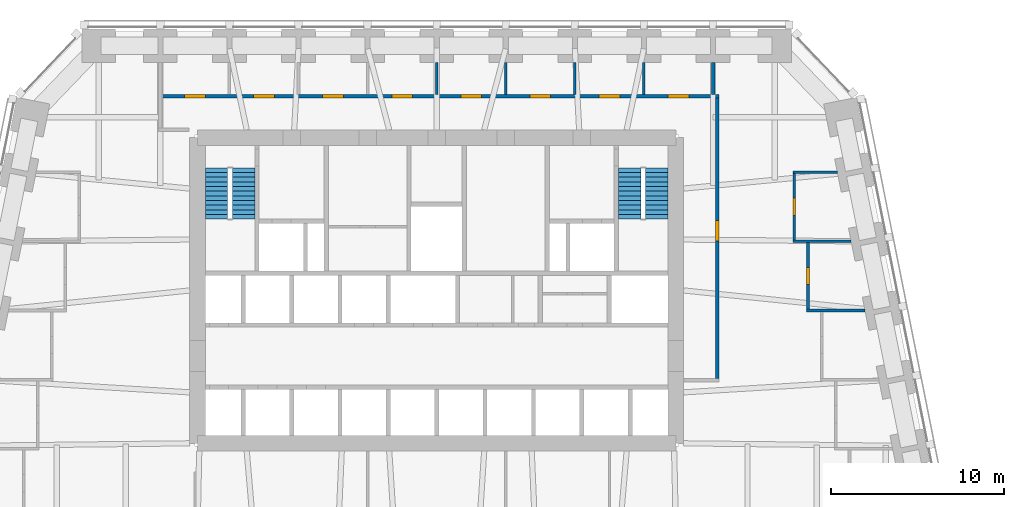
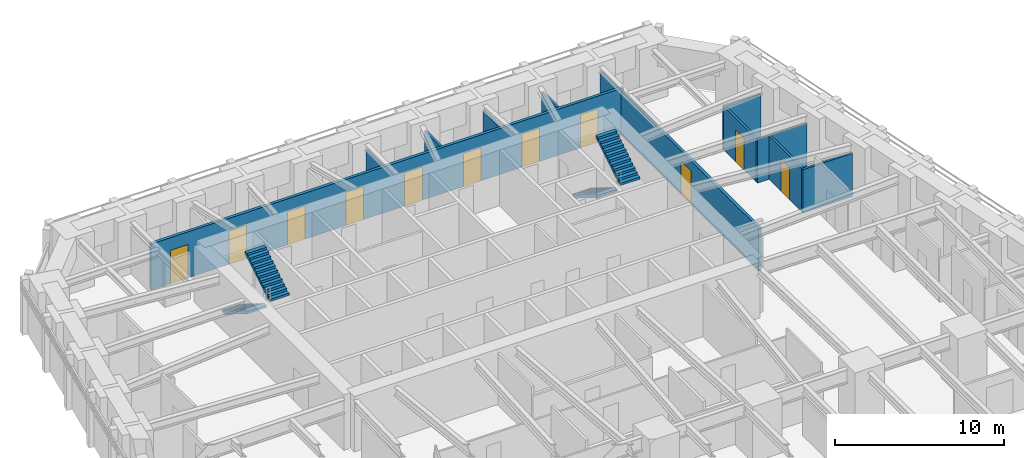
# One storey, part 8 of 10: 12 walls, 11 doors, 4 stair flights, 11 openings, 2 elements without a shape of their own.
"""IFC4 building model written with IfcOpenShell, lengths in metres."""

from ifc_helpers import new_model, si_unit, direction, frame, frame_2d, origin, place, context, subcontext, project, spatial, polyline, rectangle, outline, extrude, material, layer, layer_set, type_object, element, fill, aggregate, save


model = new_model("IFC4")

# Units and contexts
model_context = context("Model", 3, precision=1e-05, world=origin(), true_north=direction((0.0, 1.0)))
body_context = subcontext(model_context, "Body", "Model", "MODEL_VIEW")
ifc_project = project(units=[si_unit("LENGTHUNIT", "METRE"), si_unit("AREAUNIT", "SQUARE_METRE"), si_unit("VOLUMEUNIT", "CUBIC_METRE"), si_unit("PLANEANGLEUNIT", "RADIAN"), si_unit("MASSUNIT", "GRAM", prefix="KILO")], contexts=[model_context])

# Site, building, storey
site_placement = place(None, origin())
site = spatial("IfcSite", under=ifc_project, at=site_placement, CompositionType="ELEMENT")
building_placement = place(site_placement, origin())
building = spatial("IfcBuilding", under=site, at=building_placement, Name="Isbrekke Arena Tower", CompositionType="ELEMENT")
storey_placement = place(building_placement, frame((0.0, 0.0, 88.0)))
storey = spatial("IfcBuildingStorey", under=building, at=storey_placement, Name="L19", CompositionType="ELEMENT", Elevation=88.0)

# Walls
ifc_material_1 = material(Name="Gypsum board partition on steel studs", Category="steel")
ifc_layer_1 = layer(ifc_material_1, 0.14990234375)
ifc_layer_set_1 = layer_set([ifc_layer_1], Name="IW1 PARTITION 150")
wall_type_1 = type_object("IfcWallType", Name="IW1 PARTITION 150", PredefinedType="PARTITIONING", material=ifc_layer_set_1)
for number, where, z_axis, x_axis, name in (
    (1, (21.425048828125, 13.840087890625, 0.0), (0.0, 0.0, 1.0), (1.0, 0.0, 0.0), "IW1 partition 150 L19"),
    (2, (20.625, 17.840087890625, 0.0), (0.0, 0.0, 1.0), (1.0, 0.0, 0.0), "IW1 partition 150 L19"),
):
    element("IfcWall", number, at=place(storey_placement, frame(where, z_axis=z_axis, x_axis=x_axis)), inside=storey, type_object=wall_type_1, Name=name, PredefinedType="PARTITIONING", context=body_context, shape_type="SweptSolid", body=[
        extrude(rectangle(XDim=3.371337890625, YDim=0.14990234375, at=frame_2d((1.685546875, 0.0))), origin(), (0.0, 0.0, 1.0), 3.1298828125),
    ])
wall_1_placement = place(storey_placement, frame((20.625, 21.840087890625, 0.0), z_axis=(0.0, 0.0, 1.0), x_axis=(1.0, 0.0, 0.0)))
element("IfcWall", 3, at=wall_1_placement, inside=storey, type_object=wall_type_1, Name="IW1 partition 150 L19", PredefinedType="PARTITIONING", context=body_context, shape_type="SweptSolid", body=[
    extrude(rectangle(XDim=2.5712890625, YDim=0.14990234375, at=frame_2d((1.28564453125, 0.0))), origin(), (0.0, 0.0, 1.0), 3.1298828125),
])
for number, where, z_axis, x_axis, name in (
    (4, (0.0, 26.35009765625, 0.0), (0.0, 0.0, 1.0), (0.0, 1.0, 0.0), "IW1 partition 150 L19"),
    (5, (4.0, 26.35009765625, 0.0), (0.0, 0.0, 1.0), (0.0, 1.0, 0.0), "IW1 partition 150 L19"),
    (6, (8.0, 26.35009765625, 0.0), (0.0, 0.0, 1.0), (0.0, 1.0, 0.0), "IW1 partition 150 L19"),
    (7, (12.0, 26.35009765625, 0.0), (0.0, 0.0, 1.0), (0.0, 1.0, 0.0), "IW1 partition 150 L19"),
):
    element("IfcWall", number, at=place(storey_placement, frame(where, z_axis=z_axis, x_axis=x_axis)), inside=storey, type_object=wall_type_1, Name=name, PredefinedType="PARTITIONING", context=body_context, shape_type="SweptSolid", body=[
        extrude(rectangle(XDim=1.849853515625, YDim=0.14990234375, at=frame_2d((0.9248046875, 0.0))), origin(), (0.0, 0.0, 1.0), 3.318115234375),
    ])

# Wall, opening, door
wall_2_placement = place(storey_placement, frame((20.699951171875, 17.9150390625, 0.0), z_axis=(0.0, 0.0, 1.0), x_axis=(0.0, 1.0, 0.0)))
wall_2 = element("IfcWall", 8, at=wall_2_placement, inside=storey, type_object=wall_type_1, Name="IW1 partition 150 L19", PredefinedType="PARTITIONING", context=body_context, shape_type="SweptSolid", body=[
    extrude(rectangle(XDim=3.849853515625, YDim=0.14990234375, at=frame_2d((1.9248046875, 0.0))), origin(), (0.0, 0.0, 1.0), 3.1298828125),
])
opening_1_placement = place(wall_2_placement, frame((1.425048828125, 0.0, 0.0)))
opening_1 = element("IfcOpeningElement", 9, at=opening_1_placement, cuts=wall_2, Name="Opening D10", PredefinedType="OPENING", context=body_context, shape_type="SweptSolid", body=[
    extrude(rectangle(XDim=1.0, YDim=2.300048828125, at=frame_2d((0.5, 1.14990234375))), frame((0.0, 0.08984375, 0.0), z_axis=(0.0, -1.0, 0.0), x_axis=(1.0, 0.0, 0.0)), (0.0, 0.0, 1.0), 0.1796875),
])
ifc_material_2 = material(Name="Timber door", Category="wood")
door_type_1 = type_object("IfcDoorType", Name="D10 OFFICE DOOR 1000 x 2300", OperationType="SINGLE_SWING_LEFT", PredefinedType="DOOR", material=ifc_material_2)
door_1_placement = place(opening_1_placement, origin())
door_1 = element("IfcDoor", 10, at=door_1_placement, inside=storey, type_object=door_type_1, Name="D10 office door L19", OperationType="SINGLE_SWING_LEFT", OverallHeight=2.300048828125, OverallWidth=1.0, PredefinedType="DOOR", context=body_context, shape_type="SweptSolid", body=[
    extrude(rectangle(XDim=1.0, YDim=2.300048828125, at=frame_2d((0.5, 1.14990234375))), frame((0.0, 0.07470703125, 0.0), z_axis=(0.0, -1.0, 0.0), x_axis=(1.0, 0.0, 0.0)), (0.0, 0.0, 1.0), 0.1494140625),
])
fill(opening_1, door_1)

wall_3_placement = place(storey_placement, frame((21.5, 13.9150390625, 0.0), z_axis=(0.0, 0.0, 1.0), x_axis=(0.0, 1.0, 0.0)))
wall_3 = element("IfcWall", 11, at=wall_3_placement, inside=storey, type_object=wall_type_1, Name="IW1 partition 150 L19", PredefinedType="PARTITIONING", context=body_context, shape_type="SweptSolid", body=[
    extrude(rectangle(XDim=3.849853515625, YDim=0.14990234375, at=frame_2d((1.9248046875, 0.0))), origin(), (0.0, 0.0, 1.0), 3.1298828125),
])
opening_2_placement = place(wall_3_placement, frame((1.425048828125, 0.0, 0.0)))
opening_2 = element("IfcOpeningElement", 12, at=opening_2_placement, cuts=wall_3, Name="Opening D10", PredefinedType="OPENING", context=body_context, shape_type="SweptSolid", body=[
    extrude(rectangle(XDim=1.0, YDim=2.300048828125, at=frame_2d((0.5, 1.14990234375))), frame((0.0, 0.08984375, 0.0), z_axis=(0.0, -1.0, 0.0), x_axis=(1.0, 0.0, 0.0)), (0.0, 0.0, 1.0), 0.1796875),
])
door_2_placement = place(opening_2_placement, origin())
door_2 = element("IfcDoor", 13, at=door_2_placement, inside=storey, type_object=door_type_1, Name="D10 office door L19", OperationType="SINGLE_SWING_LEFT", OverallHeight=2.300048828125, OverallWidth=1.0, PredefinedType="DOOR", context=body_context, shape_type="SweptSolid", body=[
    extrude(rectangle(XDim=1.0, YDim=2.300048828125, at=frame_2d((0.5, 1.14990234375))), frame((0.0, 0.07470703125, 0.0), z_axis=(0.0, -1.0, 0.0), x_axis=(1.0, 0.0, 0.0)), (0.0, 0.0, 1.0), 0.1494140625),
])
fill(opening_2, door_2)

# Wall, openings, doors
ifc_material_3 = material(Name="Gypsum board fire-cell wall on steel studs, two layers each side", Category="steel")
ifc_layer_2 = layer(ifc_material_3, 0.199951171875)
ifc_layer_set_2 = layer_set([ifc_layer_2], Name="IW3 FIRE-CELL WALL 200")
wall_type_2 = type_object("IfcWallType", Name="IW3 FIRE-CELL WALL 200", PredefinedType="PARTITIONING", material=ifc_layer_set_2)
wall_4_placement = place(storey_placement, frame((-15.89990234375, 26.25, 0.0), z_axis=(0.0, 0.0, 1.0), x_axis=(1.0, 0.0, 0.0)))
wall_4 = element("IfcWall", 14, at=wall_4_placement, inside=storey, type_object=wall_type_2, Name="IW3 fire-cell wall 200 L19", PredefinedType="PARTITIONING", context=body_context, shape_type="SweptSolid", body=[
    extrude(rectangle(XDim=32.25, YDim=0.199951171875, at=frame_2d((16.125, 0.0))), origin(), (0.0, 0.0, 1.0), 3.318115234375),
])
opening_3_placement = place(wall_4_placement, frame((1.300048828125, 0.0, 0.0)))
opening_3 = element("IfcOpeningElement", 15, at=opening_3_placement, cuts=wall_4, Name="Opening D12", PredefinedType="OPENING", context=body_context, shape_type="SweptSolid", body=[
    extrude(rectangle(XDim=1.199951171875, YDim=2.39990234375, at=frame_2d((0.60009765625, 1.199951171875))), frame((0.0, 0.11474609375, 0.0), z_axis=(0.0, -1.0, 0.0), x_axis=(1.0, 0.0, 0.0)), (0.0, 0.0, 1.0), 0.229736328125),
])
opening_4_placement = place(wall_4_placement, frame((5.300048828125, 0.0, 0.0)))
opening_4 = element("IfcOpeningElement", 16, at=opening_4_placement, cuts=wall_4, Name="Opening D12", PredefinedType="OPENING", context=body_context, shape_type="SweptSolid", body=[
    extrude(rectangle(XDim=1.199951171875, YDim=2.39990234375, at=frame_2d((0.60009765625, 1.199951171875))), frame((0.0, 0.11474609375, 0.0), z_axis=(0.0, -1.0, 0.0), x_axis=(1.0, 0.0, 0.0)), (0.0, 0.0, 1.0), 0.229736328125),
])
opening_5_placement = place(wall_4_placement, frame((9.300048828125, 0.0, 0.0)))
opening_5 = element("IfcOpeningElement", 17, at=opening_5_placement, cuts=wall_4, Name="Opening D12", PredefinedType="OPENING", context=body_context, shape_type="SweptSolid", body=[
    extrude(rectangle(XDim=1.199951171875, YDim=2.39990234375, at=frame_2d((0.60009765625, 1.199951171875))), frame((0.0, 0.11474609375, 0.0), z_axis=(0.0, -1.0, 0.0), x_axis=(1.0, 0.0, 0.0)), (0.0, 0.0, 1.0), 0.229736328125),
])
opening_6_placement = place(wall_4_placement, frame((13.300048828125, 0.0, 0.0)))
opening_6 = element("IfcOpeningElement", 18, at=opening_6_placement, cuts=wall_4, Name="Opening D12", PredefinedType="OPENING", context=body_context, shape_type="SweptSolid", body=[
    extrude(rectangle(XDim=1.199951171875, YDim=2.39990234375, at=frame_2d((0.60009765625, 1.199951171875))), frame((0.0, 0.11474609375, 0.0), z_axis=(0.0, -1.0, 0.0), x_axis=(1.0, 0.0, 0.0)), (0.0, 0.0, 1.0), 0.229736328125),
])
opening_7_placement = place(wall_4_placement, frame((17.300048828125, 0.0, 0.0)))
opening_7 = element("IfcOpeningElement", 19, at=opening_7_placement, cuts=wall_4, Name="Opening D12", PredefinedType="OPENING", context=body_context, shape_type="SweptSolid", body=[
    extrude(rectangle(XDim=1.199951171875, YDim=2.39990234375, at=frame_2d((0.60009765625, 1.199951171875))), frame((0.0, 0.11474609375, 0.0), z_axis=(0.0, -1.0, 0.0), x_axis=(1.0, 0.0, 0.0)), (0.0, 0.0, 1.0), 0.229736328125),
])
opening_8_placement = place(wall_4_placement, frame((21.300048828125, 0.0, 0.0)))
opening_8 = element("IfcOpeningElement", 20, at=opening_8_placement, cuts=wall_4, Name="Opening D12", PredefinedType="OPENING", context=body_context, shape_type="SweptSolid", body=[
    extrude(rectangle(XDim=1.199951171875, YDim=2.39990234375, at=frame_2d((0.60009765625, 1.199951171875))), frame((0.0, 0.11474609375, 0.0), z_axis=(0.0, -1.0, 0.0), x_axis=(1.0, 0.0, 0.0)), (0.0, 0.0, 1.0), 0.229736328125),
])
opening_9_placement = place(wall_4_placement, frame((25.300048828125, 0.0, 0.0)))
opening_9 = element("IfcOpeningElement", 21, at=opening_9_placement, cuts=wall_4, Name="Opening D12", PredefinedType="OPENING", context=body_context, shape_type="SweptSolid", body=[
    extrude(rectangle(XDim=1.199951171875, YDim=2.39990234375, at=frame_2d((0.60009765625, 1.199951171875))), frame((0.0, 0.11474609375, 0.0), z_axis=(0.0, -1.0, 0.0), x_axis=(1.0, 0.0, 0.0)), (0.0, 0.0, 1.0), 0.229736328125),
])
opening_10_placement = place(wall_4_placement, frame((29.300048828125, 0.0, 0.0)))
opening_10 = element("IfcOpeningElement", 22, at=opening_10_placement, cuts=wall_4, Name="Opening D12", PredefinedType="OPENING", context=body_context, shape_type="SweptSolid", body=[
    extrude(rectangle(XDim=1.199951171875, YDim=2.39990234375, at=frame_2d((0.60009765625, 1.199951171875))), frame((0.0, 0.11474609375, 0.0), z_axis=(0.0, -1.0, 0.0), x_axis=(1.0, 0.0, 0.0)), (0.0, 0.0, 1.0), 0.229736328125),
])
ifc_material_4 = material(Name="Timber fire door with vision panel", Category="wood")
door_type_2 = type_object("IfcDoorType", Name="D12 SUITE ENTRANCE DOOR 1200 x 2400", OperationType="SINGLE_SWING_LEFT", PredefinedType="DOOR", material=ifc_material_4)
door_3_placement = place(opening_3_placement, origin())
door_3 = element("IfcDoor", 23, at=door_3_placement, inside=storey, type_object=door_type_2, Name="D12 office door L19", OperationType="SINGLE_SWING_LEFT", OverallHeight=2.39990234375, OverallWidth=1.199951171875, PredefinedType="DOOR", context=body_context, shape_type="SweptSolid", body=[
    extrude(rectangle(XDim=1.199951171875, YDim=2.39990234375, at=frame_2d((0.60009765625, 1.199951171875))), frame((0.0, 0.099609375, 0.0), z_axis=(0.0, -1.0, 0.0), x_axis=(1.0, 0.0, 0.0)), (0.0, 0.0, 1.0), 0.199462890625),
])
fill(opening_3, door_3)
door_4_placement = place(opening_4_placement, origin())
door_4 = element("IfcDoor", 24, at=door_4_placement, inside=storey, type_object=door_type_2, Name="D12 office door L19", OperationType="SINGLE_SWING_LEFT", OverallHeight=2.39990234375, OverallWidth=1.199951171875, PredefinedType="DOOR", context=body_context, shape_type="SweptSolid", body=[
    extrude(rectangle(XDim=1.199951171875, YDim=2.39990234375, at=frame_2d((0.60009765625, 1.199951171875))), frame((0.0, 0.099609375, 0.0), z_axis=(0.0, -1.0, 0.0), x_axis=(1.0, 0.0, 0.0)), (0.0, 0.0, 1.0), 0.199462890625),
])
fill(opening_4, door_4)
door_5_placement = place(opening_5_placement, origin())
door_5 = element("IfcDoor", 25, at=door_5_placement, inside=storey, type_object=door_type_2, Name="D12 office door L19", OperationType="SINGLE_SWING_LEFT", OverallHeight=2.39990234375, OverallWidth=1.199951171875, PredefinedType="DOOR", context=body_context, shape_type="SweptSolid", body=[
    extrude(rectangle(XDim=1.199951171875, YDim=2.39990234375, at=frame_2d((0.60009765625, 1.199951171875))), frame((0.0, 0.099609375, 0.0), z_axis=(0.0, -1.0, 0.0), x_axis=(1.0, 0.0, 0.0)), (0.0, 0.0, 1.0), 0.199462890625),
])
fill(opening_5, door_5)
door_6_placement = place(opening_6_placement, origin())
door_6 = element("IfcDoor", 26, at=door_6_placement, inside=storey, type_object=door_type_2, Name="D12 office door L19", OperationType="SINGLE_SWING_LEFT", OverallHeight=2.39990234375, OverallWidth=1.199951171875, PredefinedType="DOOR", context=body_context, shape_type="SweptSolid", body=[
    extrude(rectangle(XDim=1.199951171875, YDim=2.39990234375, at=frame_2d((0.60009765625, 1.199951171875))), frame((0.0, 0.099609375, 0.0), z_axis=(0.0, -1.0, 0.0), x_axis=(1.0, 0.0, 0.0)), (0.0, 0.0, 1.0), 0.199462890625),
])
fill(opening_6, door_6)
door_7_placement = place(opening_7_placement, origin())
door_7 = element("IfcDoor", 27, at=door_7_placement, inside=storey, type_object=door_type_2, Name="D12 office door L19", OperationType="SINGLE_SWING_LEFT", OverallHeight=2.39990234375, OverallWidth=1.199951171875, PredefinedType="DOOR", context=body_context, shape_type="SweptSolid", body=[
    extrude(rectangle(XDim=1.199951171875, YDim=2.39990234375, at=frame_2d((0.60009765625, 1.199951171875))), frame((0.0, 0.099609375, 0.0), z_axis=(0.0, -1.0, 0.0), x_axis=(1.0, 0.0, 0.0)), (0.0, 0.0, 1.0), 0.199462890625),
])
fill(opening_7, door_7)
door_8_placement = place(opening_8_placement, origin())
door_8 = element("IfcDoor", 28, at=door_8_placement, inside=storey, type_object=door_type_2, Name="D12 office door L19", OperationType="SINGLE_SWING_LEFT", OverallHeight=2.39990234375, OverallWidth=1.199951171875, PredefinedType="DOOR", context=body_context, shape_type="SweptSolid", body=[
    extrude(rectangle(XDim=1.199951171875, YDim=2.39990234375, at=frame_2d((0.60009765625, 1.199951171875))), frame((0.0, 0.099609375, 0.0), z_axis=(0.0, -1.0, 0.0), x_axis=(1.0, 0.0, 0.0)), (0.0, 0.0, 1.0), 0.199462890625),
])
fill(opening_8, door_8)
door_9_placement = place(opening_9_placement, origin())
door_9 = element("IfcDoor", 29, at=door_9_placement, inside=storey, type_object=door_type_2, Name="D12 office door L19", OperationType="SINGLE_SWING_LEFT", OverallHeight=2.39990234375, OverallWidth=1.199951171875, PredefinedType="DOOR", context=body_context, shape_type="SweptSolid", body=[
    extrude(rectangle(XDim=1.199951171875, YDim=2.39990234375, at=frame_2d((0.60009765625, 1.199951171875))), frame((0.0, 0.099609375, 0.0), z_axis=(0.0, -1.0, 0.0), x_axis=(1.0, 0.0, 0.0)), (0.0, 0.0, 1.0), 0.199462890625),
])
fill(opening_9, door_9)
door_10_placement = place(opening_10_placement, origin())
door_10 = element("IfcDoor", 30, at=door_10_placement, inside=storey, type_object=door_type_2, Name="D12 office door L19", OperationType="SINGLE_SWING_LEFT", OverallHeight=2.39990234375, OverallWidth=1.199951171875, PredefinedType="DOOR", context=body_context, shape_type="SweptSolid", body=[
    extrude(rectangle(XDim=1.199951171875, YDim=2.39990234375, at=frame_2d((0.60009765625, 1.199951171875))), frame((0.0, 0.099609375, 0.0), z_axis=(0.0, -1.0, 0.0), x_axis=(1.0, 0.0, 0.0)), (0.0, 0.0, 1.0), 0.199462890625),
])
fill(opening_10, door_10)

# Wall
wall_5_placement = place(storey_placement, frame((16.0, 26.35009765625, 0.0), z_axis=(0.0, 0.0, 1.0), x_axis=(0.0, 1.0, 0.0)))
element("IfcWall", 31, at=wall_5_placement, inside=storey, type_object=wall_type_2, Name="IW3 fire-cell wall 200 L19", PredefinedType="PARTITIONING", context=body_context, shape_type="SweptSolid", body=[
    extrude(rectangle(XDim=1.849853515625, YDim=0.199951171875, at=frame_2d((0.9248046875, 0.0))), origin(), (0.0, 0.0, 1.0), 3.318115234375),
])

# Wall, opening, door
wall_6_placement = place(storey_placement, frame((16.25, 9.89990234375, 0.0), z_axis=(0.0, 0.0, 1.0), x_axis=(0.0, 1.0, 0.0)))
wall_6 = element("IfcWall", 32, at=wall_6_placement, inside=storey, type_object=wall_type_2, Name="IW3 fire-cell wall 200 L19", PredefinedType="PARTITIONING", context=body_context, shape_type="SweptSolid", body=[
    extrude(rectangle(XDim=16.25, YDim=0.199951171875, at=frame_2d((8.125, 0.0))), origin(), (0.0, 0.0, 1.0), 3.1298828125),
])
opening_11_placement = place(wall_6_placement, frame((7.949951171875, 0.0, 0.0)))
opening_11 = element("IfcOpeningElement", 33, at=opening_11_placement, cuts=wall_6, Name="Opening D12", PredefinedType="OPENING", context=body_context, shape_type="SweptSolid", body=[
    extrude(rectangle(XDim=1.199951171875, YDim=2.39990234375, at=frame_2d((0.60009765625, 1.199951171875))), frame((0.0, 0.11474609375, 0.0), z_axis=(0.0, -1.0, 0.0), x_axis=(1.0, 0.0, 0.0)), (0.0, 0.0, 1.0), 0.229736328125),
])
door_11_placement = place(opening_11_placement, origin())
door_11 = element("IfcDoor", 34, at=door_11_placement, inside=storey, type_object=door_type_2, Name="D12 suite entrance A door L19", OperationType="SINGLE_SWING_LEFT", OverallHeight=2.39990234375, OverallWidth=1.199951171875, PredefinedType="DOOR", context=body_context, shape_type="SweptSolid", body=[
    extrude(rectangle(XDim=1.199951171875, YDim=2.39990234375, at=frame_2d((0.60009765625, 1.199951171875))), frame((0.0, 0.099609375, 0.0), z_axis=(0.0, -1.0, 0.0), x_axis=(1.0, 0.0, 0.0)), (0.0, 0.0, 1.0), 0.199462890625),
])
fill(opening_11, door_11)

# Stair, stair flights
ifc_material_5 = material(Name="Concrete B45 (C45/55) precast", Category="concrete")
stair_type = type_object("IfcStairType", Name="ST40 STAIR 1300 WIDE, 24 RISERS 167", PredefinedType="HALF_TURN_STAIR", material=ifc_material_5)
stair_1_placement = place(storey_placement, origin())
stair_1 = element("IfcStair", 35, at=stair_1_placement, inside=storey, type_object=stair_type, Name="ST1 stair L19", PredefinedType="HALF_TURN_STAIR")
ifc_material_6 = material(Name="Concrete B45 (C45/55) precast", Category="concrete")
stair_flight_type = type_object("IfcStairFlightType", Name="SF 1300 FLIGHT", PredefinedType="STRAIGHT", material=ifc_material_6)
stair_flight_1_placement = place(storey_placement, frame((-12.75, 22.10009765625, 0.0), z_axis=(0.0, 0.0, 1.0), x_axis=(0.0, -1.0, 0.0)))
stair_flight_1 = element("IfcStairFlight", 36, at=stair_flight_1_placement, type_object=stair_flight_type, Name="ST1 flight 1", NumberOfRisers=12, NumberOfTreads=11, PredefinedType="STRAIGHT", RiserHeight=0.166666667, TreadLength=0.27, context=body_context, shape_type="SweptSolid", body=[
    extrude(outline(polyline([(0.0, 0.0), (0.0, 0.166748046875), (0.27001953125, 0.166748046875), (0.27001953125, 0.333251953125), (0.5400390625, 0.333251953125), (0.5400390625, 0.5), (0.81005859375, 0.5), (0.81005859375, 0.666748046875), (1.080078125, 0.666748046875), (1.080078125, 0.833251953125), (1.35009765625, 0.833251953125), (1.35009765625, 1.0), (1.6201171875, 1.0), (1.6201171875, 1.166748046875), (1.889892578125, 1.166748046875), (1.889892578125, 1.333251953125), (2.159912109375, 1.333251953125), (2.159912109375, 1.5), (2.429931640625, 1.5), (2.429931640625, 1.666748046875), (2.699951171875, 1.666748046875), (2.699951171875, 1.833251953125), (2.969970703125, 1.833251953125), (2.969970703125, 2.0), (2.969970703125, 1.6572265625), (0.285400390625, 0.0), (0.0, 0.0)])), frame((0.0, 0.64990234375, 0.0), z_axis=(0.0, -1.0, 0.0), x_axis=(1.0, 0.0, 0.0)), (0.0, 0.0, 1.0), 1.300048828125),
])
stair_flight_2_placement = place(storey_placement, frame((-11.175048828125, 19.1298828125, 2.0), z_axis=(0.0, 0.0, 1.0), x_axis=(0.0, 1.0, 0.0)))
stair_flight_2 = element("IfcStairFlight", 37, at=stair_flight_2_placement, type_object=stair_flight_type, Name="ST1 flight 2", NumberOfRisers=12, NumberOfTreads=11, PredefinedType="STRAIGHT", RiserHeight=0.166666667, TreadLength=0.27, context=body_context, shape_type="SweptSolid", body=[
    extrude(outline(polyline([(0.0, 0.0), (0.0, 0.166748046875), (0.27001953125, 0.166748046875), (0.27001953125, 0.333251953125), (0.5400390625, 0.333251953125), (0.5400390625, 0.5), (0.81005859375, 0.5), (0.81005859375, 0.666748046875), (1.080078125, 0.666748046875), (1.080078125, 0.833251953125), (1.35009765625, 0.833251953125), (1.35009765625, 1.0), (1.6201171875, 1.0), (1.6201171875, 1.166748046875), (1.889892578125, 1.166748046875), (1.889892578125, 1.333251953125), (2.159912109375, 1.333251953125), (2.159912109375, 1.5), (2.429931640625, 1.5), (2.429931640625, 1.666748046875), (2.699951171875, 1.666748046875), (2.699951171875, 1.833251953125), (2.969970703125, 1.833251953125), (2.969970703125, 2.0), (2.969970703125, 1.6572265625), (0.285400390625, 0.0), (0.0, 0.0)])), frame((0.0, 0.64990234375, 0.0), z_axis=(0.0, -1.0, 0.0), x_axis=(1.0, 0.0, 0.0)), (0.0, 0.0, 1.0), 1.300048828125),
])
aggregate(stair_1, [stair_flight_1, stair_flight_2])

stair_2_placement = place(storey_placement, origin())
stair_2 = element("IfcStair", 38, at=stair_2_placement, inside=storey, type_object=stair_type, Name="ST2 stair L19", PredefinedType="HALF_TURN_STAIR")
stair_flight_3_placement = place(storey_placement, frame((11.175048828125, 22.10009765625, 0.0), z_axis=(0.0, 0.0, 1.0), x_axis=(0.0, -1.0, 0.0)))
stair_flight_3 = element("IfcStairFlight", 39, at=stair_flight_3_placement, type_object=stair_flight_type, Name="ST2 flight 1", NumberOfRisers=12, NumberOfTreads=11, PredefinedType="STRAIGHT", RiserHeight=0.166666667, TreadLength=0.27, context=body_context, shape_type="SweptSolid", body=[
    extrude(outline(polyline([(0.0, 0.0), (0.0, 0.166748046875), (0.27001953125, 0.166748046875), (0.27001953125, 0.333251953125), (0.5400390625, 0.333251953125), (0.5400390625, 0.5), (0.81005859375, 0.5), (0.81005859375, 0.666748046875), (1.080078125, 0.666748046875), (1.080078125, 0.833251953125), (1.35009765625, 0.833251953125), (1.35009765625, 1.0), (1.6201171875, 1.0), (1.6201171875, 1.166748046875), (1.889892578125, 1.166748046875), (1.889892578125, 1.333251953125), (2.159912109375, 1.333251953125), (2.159912109375, 1.5), (2.429931640625, 1.5), (2.429931640625, 1.666748046875), (2.699951171875, 1.666748046875), (2.699951171875, 1.833251953125), (2.969970703125, 1.833251953125), (2.969970703125, 2.0), (2.969970703125, 1.6572265625), (0.285400390625, 0.0), (0.0, 0.0)])), frame((0.0, 0.64990234375, 0.0), z_axis=(0.0, -1.0, 0.0), x_axis=(1.0, 0.0, 0.0)), (0.0, 0.0, 1.0), 1.300048828125),
])
stair_flight_4_placement = place(storey_placement, frame((12.75, 19.1298828125, 2.0), z_axis=(0.0, 0.0, 1.0), x_axis=(0.0, 1.0, 0.0)))
stair_flight_4 = element("IfcStairFlight", 40, at=stair_flight_4_placement, type_object=stair_flight_type, Name="ST2 flight 2", NumberOfRisers=12, NumberOfTreads=11, PredefinedType="STRAIGHT", RiserHeight=0.166666667, TreadLength=0.27, context=body_context, shape_type="SweptSolid", body=[
    extrude(outline(polyline([(0.0, 0.0), (0.0, 0.166748046875), (0.27001953125, 0.166748046875), (0.27001953125, 0.333251953125), (0.5400390625, 0.333251953125), (0.5400390625, 0.5), (0.81005859375, 0.5), (0.81005859375, 0.666748046875), (1.080078125, 0.666748046875), (1.080078125, 0.833251953125), (1.35009765625, 0.833251953125), (1.35009765625, 1.0), (1.6201171875, 1.0), (1.6201171875, 1.166748046875), (1.889892578125, 1.166748046875), (1.889892578125, 1.333251953125), (2.159912109375, 1.333251953125), (2.159912109375, 1.5), (2.429931640625, 1.5), (2.429931640625, 1.666748046875), (2.699951171875, 1.666748046875), (2.699951171875, 1.833251953125), (2.969970703125, 1.833251953125), (2.969970703125, 2.0), (2.969970703125, 1.6572265625), (0.285400390625, 0.0), (0.0, 0.0)])), frame((0.0, 0.64990234375, 0.0), z_axis=(0.0, -1.0, 0.0), x_axis=(1.0, 0.0, 0.0)), (0.0, 0.0, 1.0), 1.300048828125),
])
aggregate(stair_2, [stair_flight_3, stair_flight_4])

save(model, "model.ifc")
